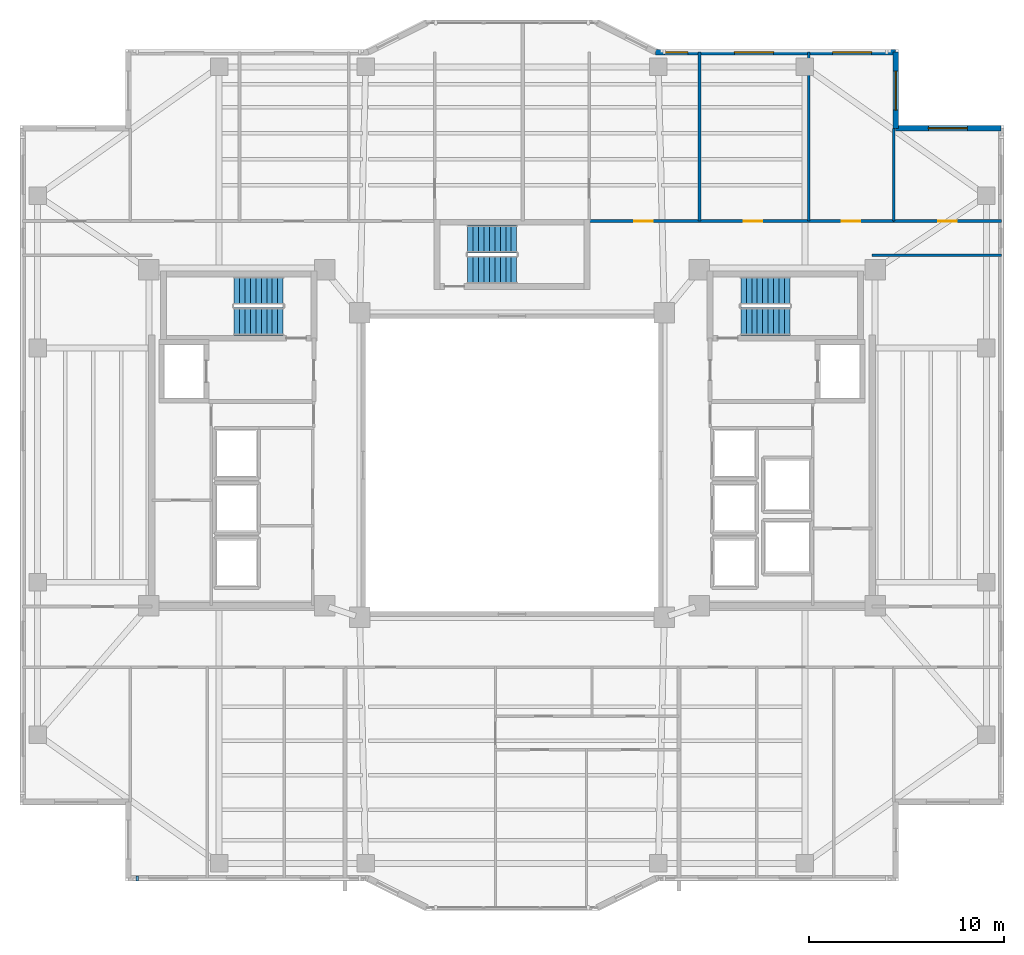
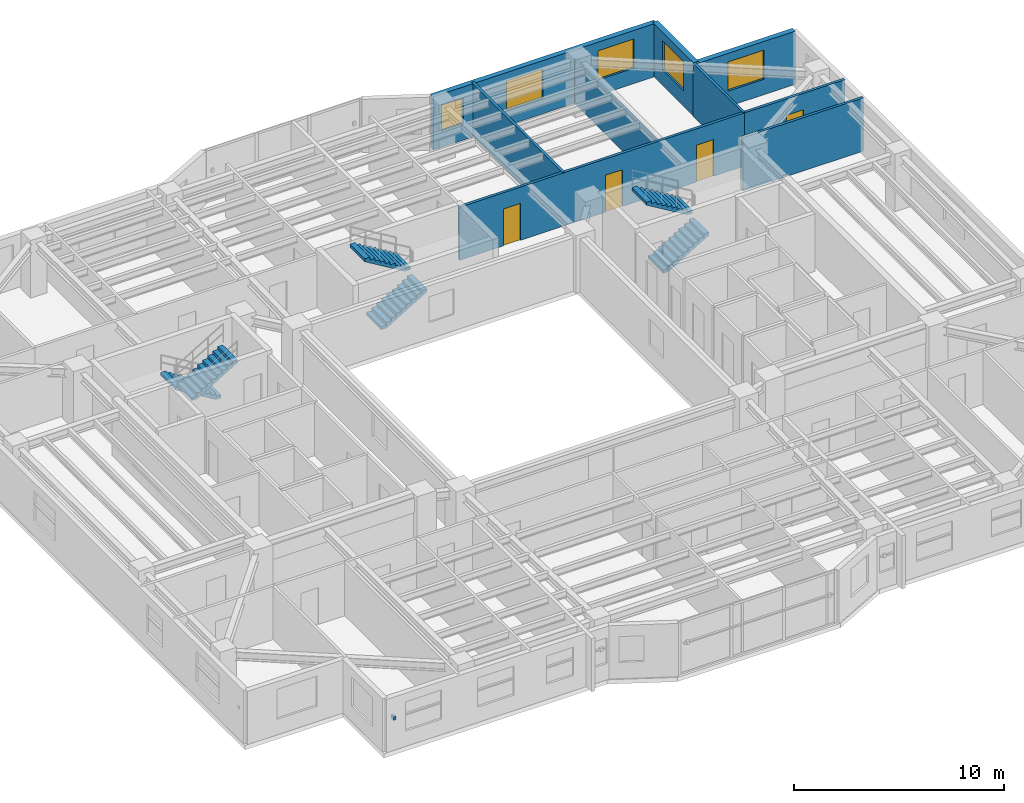
# One storey, part 10 of 15: 9 walls, 6 stair flights, 5 windows, 4 doors, 1 discrete accessory, 9 openings, 3 elements without a shape of their own.
"""IFC4 building model written with IfcOpenShell, lengths in metres."""

from ifc_helpers import new_model, si_unit, direction, frame, frame_2d, origin, origin_2d, place, context, subcontext, project, spatial, polyline, rectangle, outline, extrude, material, layer, layer_set, type_object, element, fill, aggregate, save


model = new_model("IFC4")

# Units and contexts
model_context = context("Model", 3, precision=1e-05, world=origin(), true_north=direction((0.0, 1.0)))
body_context = subcontext(model_context, "Body", "Model", "MODEL_VIEW")
ifc_project = project(units=[si_unit("LENGTHUNIT", "METRE"), si_unit("AREAUNIT", "SQUARE_METRE"), si_unit("VOLUMEUNIT", "CUBIC_METRE"), si_unit("PLANEANGLEUNIT", "RADIAN"), si_unit("MASSUNIT", "GRAM", prefix="KILO")], contexts=[model_context])

# Site, building, storey
site_placement = place(None, origin())
site = spatial("IfcSite", under=ifc_project, at=site_placement, CompositionType="ELEMENT")
building_placement = place(site_placement, origin())
building = spatial("IfcBuilding", under=site, at=building_placement, Name="Tarnavaz Court Tower", CompositionType="ELEMENT")
storey_placement = place(building_placement, frame((0.0, 0.0, 142.64990234375)))
storey = spatial("IfcBuildingStorey", under=building, at=storey_placement, Name="L38", CompositionType="ELEMENT", Elevation=142.64990234375)

# Wall, openings, windows
ifc_material_1 = material(Name="Precast Concrete C40/50", Category="concrete")
ifc_layer_1 = layer(ifc_material_1, 0.280029296875)
ifc_layer_set_1 = layer_set([ifc_layer_1], Name="Precast Concrete C40/50")
wall_type_1 = type_object("IfcWallType", Name="WL-EXT-280", PredefinedType="SOLIDWALL", material=ifc_layer_set_1)
wall_1_placement = place(storey_placement, frame((7.35009765625, 21.14990234375, 0.0), z_axis=(0.0, 0.0, 1.0), x_axis=(1.0, 0.0, 0.0)))
wall_1 = element("IfcWall", 1, at=wall_1_placement, inside=storey, type_object=wall_type_1, Name="L38 Exterior Terracotta Facade Wall 09", PredefinedType="SOLIDWALL", context=body_context, shape_type="SweptSolid", body=[
    extrude(rectangle(XDim=12.2998046875, YDim=0.280029296875, at=frame_2d((6.14990234375, 0.0))), origin(), (0.0, 0.0, 1.0), 3.10009765625),
])
opening_1_placement = place(wall_1_placement, frame((0.454345703125, 0.0, 0.949951171875)))
opening_1 = element("IfcOpeningElement", 2, at=opening_1_placement, cuts=wall_1, Name="Opening W05", PredefinedType="OPENING", context=body_context, shape_type="SweptSolid", body=[
    extrude(rectangle(XDim=1.199951171875, YDim=1.5, at=frame_2d((0.60009765625, 0.75))), frame((0.0, 0.14990234375, 0.0), z_axis=(0.0, -1.0, 0.0), x_axis=(1.0, 0.0, 0.0)), (0.0, 0.0, 1.0), 0.300048828125),
])
opening_2_placement = place(wall_1_placement, frame((4.04541015625, 0.0, 0.89990234375)))
opening_2 = element("IfcOpeningElement", 3, at=opening_2_placement, cuts=wall_1, Name="Opening W08", PredefinedType="OPENING", context=body_context, shape_type="SweptSolid", body=[
    extrude(rectangle(XDim=2.0, YDim=1.699951171875, at=frame_2d((1.0, 0.85009765625))), frame((0.0, 0.14990234375, 0.0), z_axis=(0.0, -1.0, 0.0), x_axis=(1.0, 0.0, 0.0)), (0.0, 0.0, 1.0), 0.300048828125),
])
opening_3_placement = place(wall_1_placement, frame((9.06591796875, 0.0, 0.89990234375)))
opening_3 = element("IfcOpeningElement", 4, at=opening_3_placement, cuts=wall_1, Name="Opening W08", PredefinedType="OPENING", context=body_context, shape_type="SweptSolid", body=[
    extrude(rectangle(XDim=2.0, YDim=1.699951171875, at=frame_2d((1.0, 0.85009765625))), frame((0.0, 0.14990234375, 0.0), z_axis=(0.0, -1.0, 0.0), x_axis=(1.0, 0.0, 0.0)), (0.0, 0.0, 1.0), 0.300048828125),
])
ifc_material_2 = material(Name="Double-Glazed Solar Low-E Glass", Category="glass")
window_type_1 = type_object("IfcWindowType", Name="WN-APT-1200", PartitioningType="SINGLE_PANEL", PredefinedType="WINDOW", material=ifc_material_2)
window_1_placement = place(opening_1_placement, origin())
window_1 = element("IfcWindow", 5, at=window_1_placement, inside=storey, type_object=window_type_1, Name="L38 Resident Co-Working Study Room Window", OverallHeight=1.5, OverallWidth=1.199951171875, PartitioningType="SINGLE_PANEL", PredefinedType="WINDOW", context=body_context, shape_type="SweptSolid", body=[
    extrude(rectangle(XDim=1.199951171875, YDim=1.5, at=frame_2d((0.60009765625, 0.75))), frame((0.0, 0.030029296875, 0.0), z_axis=(0.0, -1.0, 0.0), x_axis=(1.0, 0.0, 0.0)), (0.0, 0.0, 1.0), 0.06005859375),
])
fill(opening_1, window_1)
window_type_2 = type_object("IfcWindowType", Name="WN-APT-2000", PartitioningType="DOUBLE_PANEL_VERTICAL", PredefinedType="WINDOW", material=ifc_material_2)
window_2_placement = place(opening_2_placement, origin())
window_2 = element("IfcWindow", 6, at=window_2_placement, inside=storey, type_object=window_type_2, Name="L38 Quiet Reading Library Room Window", OverallHeight=1.699951171875, OverallWidth=2.0, PartitioningType="SINGLE_PANEL", PredefinedType="WINDOW", context=body_context, shape_type="SweptSolid", body=[
    extrude(rectangle(XDim=2.0, YDim=1.699951171875, at=frame_2d((1.0, 0.85009765625))), frame((0.0, 0.030029296875, 0.0), z_axis=(0.0, -1.0, 0.0), x_axis=(1.0, 0.0, 0.0)), (0.0, 0.0, 1.0), 0.06005859375),
])
fill(opening_2, window_2)
window_3_placement = place(opening_3_placement, origin())
window_3 = element("IfcWindow", 7, at=window_3_placement, inside=storey, type_object=window_type_2, Name="L38 Resident Focus Seminar Room Window", OverallHeight=1.699951171875, OverallWidth=2.0, PartitioningType="SINGLE_PANEL", PredefinedType="WINDOW", context=body_context, shape_type="SweptSolid", body=[
    extrude(rectangle(XDim=2.0, YDim=1.699951171875, at=frame_2d((1.0, 0.85009765625))), frame((0.0, 0.030029296875, 0.0), z_axis=(0.0, -1.0, 0.0), x_axis=(1.0, 0.0, 0.0)), (0.0, 0.0, 1.0), 0.06005859375),
])
fill(opening_3, window_3)

# Wall, opening, window
wall_2_placement = place(storey_placement, frame((19.64990234375, 21.14990234375, 0.0), z_axis=(0.0, 0.0, 1.0), x_axis=(0.0, -1.0, 0.0)))
wall_2 = element("IfcWall", 8, at=wall_2_placement, inside=storey, type_object=wall_type_1, Name="L38 Exterior Terracotta Facade Wall 10", PredefinedType="SOLIDWALL", context=body_context, shape_type="SweptSolid", body=[
    extrude(rectangle(XDim=3.89990234375, YDim=0.280029296875, at=frame_2d((1.949951171875, 0.0))), origin(), (0.0, 0.0, 1.0), 3.10009765625),
])
opening_4_placement = place(wall_2_placement, frame((0.9677734375, 0.0, 0.89990234375)))
opening_4 = element("IfcOpeningElement", 9, at=opening_4_placement, cuts=wall_2, Name="Opening W08", PredefinedType="OPENING", context=body_context, shape_type="SweptSolid", body=[
    extrude(rectangle(XDim=2.0, YDim=1.699951171875, at=frame_2d((1.0, 0.85009765625))), frame((0.0, 0.14990234375, 0.0), z_axis=(0.0, -1.0, 0.0), x_axis=(1.0, 0.0, 0.0)), (0.0, 0.0, 1.0), 0.300048828125),
])
window_4_placement = place(opening_4_placement, origin())
window_4 = element("IfcWindow", 10, at=window_4_placement, inside=storey, type_object=window_type_2, Name="L38 Resident Focus Seminar Room Window", OverallHeight=1.699951171875, OverallWidth=2.0, PartitioningType="SINGLE_PANEL", PredefinedType="WINDOW", context=body_context, shape_type="SweptSolid", body=[
    extrude(rectangle(XDim=2.0, YDim=1.699951171875, at=frame_2d((1.0, 0.85009765625))), frame((0.0, 0.030029296875, 0.0), z_axis=(0.0, -1.0, 0.0), x_axis=(1.0, 0.0, 0.0)), (0.0, 0.0, 1.0), 0.06005859375),
])
fill(opening_4, window_4)

wall_3_placement = place(storey_placement, frame((19.64990234375, 17.25, 0.0), z_axis=(0.0, 0.0, 1.0), x_axis=(1.0, 0.0, 0.0)))
wall_3 = element("IfcWall", 11, at=wall_3_placement, inside=storey, type_object=wall_type_1, Name="L38 Exterior Terracotta Facade Wall 11", PredefinedType="SOLIDWALL", context=body_context, shape_type="SweptSolid", body=[
    extrude(rectangle(XDim=5.400146484375, YDim=0.280029296875, at=frame_2d((2.7001953125, 0.0))), origin(), (0.0, 0.0, 1.0), 3.10009765625),
])
opening_5_placement = place(wall_3_placement, frame((1.675048828125, 0.0, 0.89990234375)))
opening_5 = element("IfcOpeningElement", 12, at=opening_5_placement, cuts=wall_3, Name="Opening W08", PredefinedType="OPENING", context=body_context, shape_type="SweptSolid", body=[
    extrude(rectangle(XDim=2.0, YDim=1.699951171875, at=frame_2d((1.0, 0.85009765625))), frame((0.0, 0.14990234375, 0.0), z_axis=(0.0, -1.0, 0.0), x_axis=(1.0, 0.0, 0.0)), (0.0, 0.0, 1.0), 0.300048828125),
])
window_5_placement = place(opening_5_placement, origin())
window_5 = element("IfcWindow", 13, at=window_5_placement, inside=storey, type_object=window_type_2, Name="L38 North-East Corner Sunroom Study Window", OverallHeight=1.699951171875, OverallWidth=2.0, PartitioningType="SINGLE_PANEL", PredefinedType="WINDOW", context=body_context, shape_type="SweptSolid", body=[
    extrude(rectangle(XDim=2.0, YDim=1.699951171875, at=frame_2d((1.0, 0.85009765625))), frame((0.0, 0.030029296875, 0.0), z_axis=(0.0, -1.0, 0.0), x_axis=(1.0, 0.0, 0.0)), (0.0, 0.0, 1.0), 0.06005859375),
])
fill(opening_5, window_5)

# Wall, openings, doors
ifc_material_3 = material(Name="Gypsum Fire-Board on Acoustic Metal Stud", Category="masonry")
ifc_layer_2 = layer(ifc_material_3, 0.14990234375)
ifc_layer_set_2 = layer_set([ifc_layer_2], Name="Gypsum Fire-Board on Acoustic Metal Stud")
wall_type_2 = type_object("IfcWallType", Name="WL-FIRE-150", PredefinedType="PARTITIONING", material=ifc_layer_set_2)
wall_4_placement = place(storey_placement, frame((3.85009765625, 12.5, 0.0), z_axis=(0.0, 0.0, 1.0), x_axis=(1.0, 0.0, 0.0)))
wall_4 = element("IfcWall", 14, at=wall_4_placement, inside=storey, type_object=wall_type_2, Name="L38 NE Wing Corridor Wall 072", PredefinedType="PARTITIONING", context=body_context, shape_type="SweptSolid", body=[
    extrude(rectangle(XDim=15.699951171875, YDim=0.14990234375, at=frame_2d((7.85009765625, 0.0))), origin(), (0.0, 0.0, 1.0), 3.10009765625),
])
opening_6_placement = place(wall_4_placement, frame((2.402099609375, 0.0, 0.0)))
opening_6 = element("IfcOpeningElement", 15, at=opening_6_placement, cuts=wall_4, Name="Opening D13", PredefinedType="OPENING", context=body_context, shape_type="SweptSolid", body=[
    extrude(rectangle(XDim=0.949951171875, YDim=2.14990234375, at=frame_2d((0.47509765625, 1.074951171875))), frame((0.0, 0.0849609375, 0.0), z_axis=(0.0, -1.0, 0.0), x_axis=(1.0, 0.0, 0.0)), (0.0, 0.0, 1.0), 0.169921875),
])
opening_7_placement = place(wall_4_placement, frame((8.02587890625, 0.0, 0.0)))
opening_7 = element("IfcOpeningElement", 16, at=opening_7_placement, cuts=wall_4, Name="Opening D13", PredefinedType="OPENING", context=body_context, shape_type="SweptSolid", body=[
    extrude(rectangle(XDim=0.949951171875, YDim=2.14990234375, at=frame_2d((0.47509765625, 1.074951171875))), frame((0.0, 0.0849609375, 0.0), z_axis=(0.0, -1.0, 0.0), x_axis=(1.0, 0.0, 0.0)), (0.0, 0.0, 1.0), 0.169921875),
])
opening_8_placement = place(wall_4_placement, frame((13.030029296875, 0.0, 0.0)))
opening_8 = element("IfcOpeningElement", 17, at=opening_8_placement, cuts=wall_4, Name="Opening D13", PredefinedType="OPENING", context=body_context, shape_type="SweptSolid", body=[
    extrude(rectangle(XDim=0.949951171875, YDim=2.14990234375, at=frame_2d((0.47509765625, 1.074951171875))), frame((0.0, 0.0849609375, 0.0), z_axis=(0.0, -1.0, 0.0), x_axis=(1.0, 0.0, 0.0)), (0.0, 0.0, 1.0), 0.169921875),
])
ifc_material_4 = material(Name="Engineered Oak Timber", Category="wood")
door_type = type_object("IfcDoorType", Name="DR-INT-950", OperationType="NOTDEFINED", PredefinedType="DOOR", material=ifc_material_4)
door_1_placement = place(opening_6_placement, origin())
door_1 = element("IfcDoor", 18, at=door_1_placement, inside=storey, type_object=door_type, Name="L38 Resident Co-Working Study Room Door", OperationType="SINGLE_SWING_LEFT", OverallHeight=2.14990234375, OverallWidth=0.949951171875, PredefinedType="DOOR", context=body_context, shape_type="SweptSolid", body=[
    extrude(rectangle(XDim=0.949951171875, YDim=2.14990234375, at=frame_2d((0.47509765625, 1.074951171875))), frame((0.0, 0.02490234375, 0.0), z_axis=(0.0, -1.0, 0.0), x_axis=(1.0, 0.0, 0.0)), (0.0, 0.0, 1.0), 0.050048828125),
])
fill(opening_6, door_1)
door_2_placement = place(opening_7_placement, origin())
door_2 = element("IfcDoor", 19, at=door_2_placement, inside=storey, type_object=door_type, Name="L38 Quiet Reading Library Room Door", OperationType="SINGLE_SWING_RIGHT", OverallHeight=2.14990234375, OverallWidth=0.949951171875, PredefinedType="DOOR", context=body_context, shape_type="SweptSolid", body=[
    extrude(rectangle(XDim=0.949951171875, YDim=2.14990234375, at=frame_2d((0.47509765625, 1.074951171875))), frame((0.0, 0.02490234375, 0.0), z_axis=(0.0, -1.0, 0.0), x_axis=(1.0, 0.0, 0.0)), (0.0, 0.0, 1.0), 0.050048828125),
])
fill(opening_7, door_2)
door_3_placement = place(opening_8_placement, origin())
door_3 = element("IfcDoor", 20, at=door_3_placement, inside=storey, type_object=door_type, Name="L38 Resident Focus Seminar Room Door", OperationType="SINGLE_SWING_LEFT", OverallHeight=2.14990234375, OverallWidth=0.949951171875, PredefinedType="DOOR", context=body_context, shape_type="SweptSolid", body=[
    extrude(rectangle(XDim=0.949951171875, YDim=2.14990234375, at=frame_2d((0.47509765625, 1.074951171875))), frame((0.0, 0.02490234375, 0.0), z_axis=(0.0, -1.0, 0.0), x_axis=(1.0, 0.0, 0.0)), (0.0, 0.0, 1.0), 0.050048828125),
])
fill(opening_8, door_3)

# Wall
wall_5_placement = place(storey_placement, frame((18.449951171875, 10.75, 0.0), z_axis=(0.0, 0.0, 1.0), x_axis=(1.0, 0.0, 0.0)))
element("IfcWall", 21, at=wall_5_placement, inside=storey, type_object=wall_type_2, Name="L38 Interior Partition 098", PredefinedType="PARTITIONING", context=body_context, shape_type="SweptSolid", body=[
    extrude(rectangle(XDim=6.630126953125, YDim=0.14990234375, at=frame_2d((3.31494140625, 0.0))), origin(), (0.0, 0.0, 1.0), 3.10009765625),
])

# Wall, opening, door
wall_6_placement = place(storey_placement, frame((19.550048828125, 12.5, 0.0), z_axis=(0.0, 0.0, 1.0), x_axis=(1.0, 0.0, 0.0)))
wall_6 = element("IfcWall", 22, at=wall_6_placement, inside=storey, type_object=wall_type_2, Name="L38 Interior Partition 104", PredefinedType="PARTITIONING", context=body_context, shape_type="SweptSolid", body=[
    extrude(rectangle(XDim=5.530029296875, YDim=0.14990234375, at=frame_2d((2.76513671875, 0.0))), origin(), (0.0, 0.0, 1.0), 3.10009765625),
])
opening_9_placement = place(wall_6_placement, frame((2.2900390625, 0.0, 0.0)))
opening_9 = element("IfcOpeningElement", 23, at=opening_9_placement, cuts=wall_6, Name="Opening D13", PredefinedType="OPENING", context=body_context, shape_type="SweptSolid", body=[
    extrude(rectangle(XDim=0.949951171875, YDim=2.14990234375, at=frame_2d((0.47509765625, 1.074951171875))), frame((0.0, 0.0849609375, 0.0), z_axis=(0.0, -1.0, 0.0), x_axis=(1.0, 0.0, 0.0)), (0.0, 0.0, 1.0), 0.169921875),
])
door_4_placement = place(opening_9_placement, origin())
door_4 = element("IfcDoor", 24, at=door_4_placement, inside=storey, type_object=door_type, Name="L38 NE Sunroom Door", OperationType="SINGLE_SWING_RIGHT", OverallHeight=2.14990234375, OverallWidth=0.949951171875, PredefinedType="DOOR", context=body_context, shape_type="SweptSolid", body=[
    extrude(rectangle(XDim=0.949951171875, YDim=2.14990234375, at=frame_2d((0.47509765625, 1.074951171875))), frame((0.0, 0.02490234375, 0.0), z_axis=(0.0, -1.0, 0.0), x_axis=(1.0, 0.0, 0.0)), (0.0, 0.0, 1.0), 0.050048828125),
])
fill(opening_9, door_4)

# Walls
ifc_material_5 = material(Name="Gypsum Plasterboard Acoustic Partition", Category="masonry")
ifc_layer_3 = layer(ifc_material_5, 0.139892578125)
ifc_layer_set_3 = layer_set([ifc_layer_3], Name="Gypsum Plasterboard Acoustic Partition")
wall_type_3 = type_object("IfcWallType", Name="WL-PART-150", PredefinedType="PARTITIONING", material=ifc_layer_set_3)
wall_7_placement = place(storey_placement, frame((9.60400390625, 12.5, 0.0), z_axis=(0.0, 0.0, 1.0), x_axis=(0.0, 1.0, 0.0)))
element("IfcWall", 25, at=wall_7_placement, inside=storey, type_object=wall_type_3, Name="L38 Interior Partition 080", PredefinedType="PARTITIONING", context=body_context, shape_type="SweptSolid", body=[
    extrude(rectangle(XDim=8.64990234375, YDim=0.139892578125, at=frame_2d((4.324951171875, 0.0))), origin(), (0.0, 0.0, 1.0), 3.10009765625),
])
wall_8_placement = place(storey_placement, frame((15.198974609375, 12.5, 0.0), z_axis=(0.0, 0.0, 1.0), x_axis=(0.0, 1.0, 0.0)))
element("IfcWall", 26, at=wall_8_placement, inside=storey, type_object=wall_type_3, Name="L38 Interior Partition 081", PredefinedType="PARTITIONING", context=body_context, shape_type="SweptSolid", body=[
    extrude(rectangle(XDim=8.64990234375, YDim=0.139892578125, at=frame_2d((4.324951171875, 0.0))), origin(), (0.0, 0.0, 1.0), 2.585205078125),
])
wall_9_placement = place(storey_placement, frame((19.550048828125, 12.5, 0.0), z_axis=(0.0, 0.0, 1.0), x_axis=(0.0, 1.0, 0.0)))
element("IfcWall", 27, at=wall_9_placement, inside=storey, type_object=wall_type_3, Name="L38 Interior Partition 102", PredefinedType="PARTITIONING", context=body_context, shape_type="SweptSolid", body=[
    extrude(rectangle(XDim=4.75, YDim=0.139892578125, at=frame_2d((2.375, 0.0))), origin(), (0.0, 0.0, 1.0), 3.10009765625),
])

# Stair, stair flights
ifc_material_6 = material(Name="Concrete C40/50", Category="concrete")
stair_type = type_object("IfcStairType", Name="ST-TWR-20R", PredefinedType="HALF_TURN_STAIR", material=ifc_material_6)
stair_1_placement = place(storey_placement, origin())
stair_1 = element("IfcStair", 28, at=stair_1_placement, inside=storey, type_object=stair_type, Name="L38 West Core Pressurized Exit Stair ST-W1", PredefinedType="HALF_TURN_STAIR")
stair_flight_type = type_object("IfcStairFlightType", Name="SFL-RC-20R", PredefinedType="STRAIGHT", material=ifc_material_6)
stair_flight_1_placement = place(storey_placement, frame((-11.719970703125, 8.929931640625, 0.0), z_axis=(0.0, 0.0, 1.0), x_axis=(-1.0, 0.0, 0.0)))
stair_flight_1 = element("IfcStairFlight", 29, at=stair_flight_1_placement, type_object=stair_flight_type, Name="ST-W1 flight 1", NumberOfRisers=10, NumberOfTreads=9, PredefinedType="STRAIGHT", RiserHeight=0.1675, TreadLength=0.28, context=body_context, shape_type="SweptSolid", body=[
    extrude(outline(polyline([(0.0, 0.0), (0.0, 0.16748046875), (0.280029296875, 0.16748046875), (0.280029296875, 0.3349609375), (0.56005859375, 0.3349609375), (0.56005859375, 0.50244140625), (0.840087890625, 0.50244140625), (0.840087890625, 0.669921875), (1.1201171875, 0.669921875), (1.1201171875, 0.83740234375), (1.39990234375, 0.83740234375), (1.39990234375, 1.0048828125), (1.679931640625, 1.0048828125), (1.679931640625, 1.172607421875), (1.9599609375, 1.172607421875), (1.9599609375, 1.340087890625), (2.239990234375, 1.340087890625), (2.239990234375, 1.507568359375), (2.52001953125, 1.507568359375), (2.52001953125, 1.675048828125), (2.52001953125, 1.332763671875), (0.2919921875, 0.0), (0.0, 0.0)])), frame((0.0, 0.7099609375, 0.0), z_axis=(0.0, -1.0, 0.0), x_axis=(1.0, 0.0, 0.0)), (0.0, 0.0, 1.0), 1.419921875),
])
stair_flight_2_placement = place(storey_placement, frame((-14.239990234375, 7.360107421875, 1.675048828125), z_axis=(0.0, 0.0, 1.0), x_axis=(1.0, 0.0, 0.0)))
stair_flight_2 = element("IfcStairFlight", 30, at=stair_flight_2_placement, type_object=stair_flight_type, Name="ST-W1 flight 2", NumberOfRisers=10, NumberOfTreads=9, PredefinedType="STRAIGHT", RiserHeight=0.1675, TreadLength=0.28, context=body_context, shape_type="SweptSolid", body=[
    extrude(outline(polyline([(0.0, 0.0), (0.0, 0.16748046875), (0.280029296875, 0.16748046875), (0.280029296875, 0.3349609375), (0.56005859375, 0.3349609375), (0.56005859375, 0.50244140625), (0.840087890625, 0.50244140625), (0.840087890625, 0.669921875), (1.1201171875, 0.669921875), (1.1201171875, 0.83740234375), (1.39990234375, 0.83740234375), (1.39990234375, 1.0048828125), (1.679931640625, 1.0048828125), (1.679931640625, 1.172607421875), (1.9599609375, 1.172607421875), (1.9599609375, 1.340087890625), (2.239990234375, 1.340087890625), (2.239990234375, 1.507568359375), (2.52001953125, 1.507568359375), (2.52001953125, 1.675048828125), (2.52001953125, 1.332763671875), (0.2919921875, 0.0), (0.0, 0.0)])), frame((0.0, 0.7099609375, 0.0), z_axis=(0.0, -1.0, 0.0), x_axis=(1.0, 0.0, 0.0)), (0.0, 0.0, 1.0), 1.419921875),
])
aggregate(stair_1, [stair_flight_1, stair_flight_2])

stair_2_placement = place(storey_placement, origin())
stair_2 = element("IfcStair", 31, at=stair_2_placement, inside=storey, type_object=stair_type, Name="L38 East Core Pressurized Exit Stair ST-E1", PredefinedType="HALF_TURN_STAIR")
stair_flight_3_placement = place(storey_placement, frame((11.719970703125, 7.360107421875, 0.0), z_axis=(0.0, 0.0, 1.0), x_axis=(1.0, 0.0, 0.0)))
stair_flight_3 = element("IfcStairFlight", 32, at=stair_flight_3_placement, type_object=stair_flight_type, Name="ST-E1 flight 1", NumberOfRisers=10, NumberOfTreads=9, PredefinedType="STRAIGHT", RiserHeight=0.1675, TreadLength=0.28, context=body_context, shape_type="SweptSolid", body=[
    extrude(outline(polyline([(0.0, 0.0), (0.0, 0.16748046875), (0.280029296875, 0.16748046875), (0.280029296875, 0.3349609375), (0.56005859375, 0.3349609375), (0.56005859375, 0.50244140625), (0.840087890625, 0.50244140625), (0.840087890625, 0.669921875), (1.1201171875, 0.669921875), (1.1201171875, 0.83740234375), (1.39990234375, 0.83740234375), (1.39990234375, 1.0048828125), (1.679931640625, 1.0048828125), (1.679931640625, 1.172607421875), (1.9599609375, 1.172607421875), (1.9599609375, 1.340087890625), (2.239990234375, 1.340087890625), (2.239990234375, 1.507568359375), (2.52001953125, 1.507568359375), (2.52001953125, 1.675048828125), (2.52001953125, 1.332763671875), (0.2919921875, 0.0), (0.0, 0.0)])), frame((0.0, 0.7099609375, 0.0), z_axis=(0.0, -1.0, 0.0), x_axis=(1.0, 0.0, 0.0)), (0.0, 0.0, 1.0), 1.419921875),
])
stair_flight_4_placement = place(storey_placement, frame((14.239990234375, 8.929931640625, 1.675048828125), z_axis=(0.0, 0.0, 1.0), x_axis=(-1.0, 0.0, 0.0)))
stair_flight_4 = element("IfcStairFlight", 33, at=stair_flight_4_placement, type_object=stair_flight_type, Name="ST-E1 flight 2", NumberOfRisers=10, NumberOfTreads=9, PredefinedType="STRAIGHT", RiserHeight=0.1675, TreadLength=0.28, context=body_context, shape_type="SweptSolid", body=[
    extrude(outline(polyline([(0.0, 0.0), (0.0, 0.16748046875), (0.280029296875, 0.16748046875), (0.280029296875, 0.3349609375), (0.56005859375, 0.3349609375), (0.56005859375, 0.50244140625), (0.840087890625, 0.50244140625), (0.840087890625, 0.669921875), (1.1201171875, 0.669921875), (1.1201171875, 0.83740234375), (1.39990234375, 0.83740234375), (1.39990234375, 1.0048828125), (1.679931640625, 1.0048828125), (1.679931640625, 1.172607421875), (1.9599609375, 1.172607421875), (1.9599609375, 1.340087890625), (2.239990234375, 1.340087890625), (2.239990234375, 1.507568359375), (2.52001953125, 1.507568359375), (2.52001953125, 1.675048828125), (2.52001953125, 1.332763671875), (0.2919921875, 0.0), (0.0, 0.0)])), frame((0.0, 0.7099609375, 0.0), z_axis=(0.0, -1.0, 0.0), x_axis=(1.0, 0.0, 0.0)), (0.0, 0.0, 1.0), 1.419921875),
])
aggregate(stair_2, [stair_flight_3, stair_flight_4])

stair_3_placement = place(storey_placement, origin())
stair_3 = element("IfcStair", 34, at=stair_3_placement, inside=storey, type_object=stair_type, Name="L38 North Ring Pressurized Exit Stair ST-N1", PredefinedType="HALF_TURN_STAIR")
stair_flight_5_placement = place(storey_placement, frame((-2.280029296875, 10.010009765625, 0.0), z_axis=(0.0, 0.0, 1.0), x_axis=(1.0, 0.0, 0.0)))
stair_flight_5 = element("IfcStairFlight", 35, at=stair_flight_5_placement, type_object=stair_flight_type, Name="ST-N1 flight 1", NumberOfRisers=10, NumberOfTreads=9, PredefinedType="STRAIGHT", RiserHeight=0.1675, TreadLength=0.28, context=body_context, shape_type="SweptSolid", body=[
    extrude(outline(polyline([(0.0, 0.0), (0.0, 0.16748046875), (0.280029296875, 0.16748046875), (0.280029296875, 0.3349609375), (0.56005859375, 0.3349609375), (0.56005859375, 0.50244140625), (0.840087890625, 0.50244140625), (0.840087890625, 0.669921875), (1.1201171875, 0.669921875), (1.1201171875, 0.83740234375), (1.39990234375, 0.83740234375), (1.39990234375, 1.0048828125), (1.679931640625, 1.0048828125), (1.679931640625, 1.172607421875), (1.9599609375, 1.172607421875), (1.9599609375, 1.340087890625), (2.239990234375, 1.340087890625), (2.239990234375, 1.507568359375), (2.52001953125, 1.507568359375), (2.52001953125, 1.675048828125), (2.52001953125, 1.332763671875), (0.2919921875, 0.0), (0.0, 0.0)])), frame((0.0, 0.7099609375, 0.0), z_axis=(0.0, -1.0, 0.0), x_axis=(1.0, 0.0, 0.0)), (0.0, 0.0, 1.0), 1.419921875),
])
stair_flight_6_placement = place(storey_placement, frame((0.239990234375, 11.580078125, 1.675048828125), z_axis=(0.0, 0.0, 1.0), x_axis=(-1.0, 0.0, 0.0)))
stair_flight_6 = element("IfcStairFlight", 36, at=stair_flight_6_placement, type_object=stair_flight_type, Name="ST-N1 flight 2", NumberOfRisers=10, NumberOfTreads=9, PredefinedType="STRAIGHT", RiserHeight=0.1675, TreadLength=0.28, context=body_context, shape_type="SweptSolid", body=[
    extrude(outline(polyline([(0.0, 0.0), (0.0, 0.16748046875), (0.280029296875, 0.16748046875), (0.280029296875, 0.3349609375), (0.56005859375, 0.3349609375), (0.56005859375, 0.50244140625), (0.840087890625, 0.50244140625), (0.840087890625, 0.669921875), (1.1201171875, 0.669921875), (1.1201171875, 0.83740234375), (1.39990234375, 0.83740234375), (1.39990234375, 1.0048828125), (1.679931640625, 1.0048828125), (1.679931640625, 1.172607421875), (1.9599609375, 1.172607421875), (1.9599609375, 1.340087890625), (2.239990234375, 1.340087890625), (2.239990234375, 1.507568359375), (2.52001953125, 1.507568359375), (2.52001953125, 1.675048828125), (2.52001953125, 1.332763671875), (0.2919921875, 0.0), (0.0, 0.0)])), frame((0.0, 0.7099609375, 0.0), z_axis=(0.0, -1.0, 0.0), x_axis=(1.0, 0.0, 0.0)), (0.0, 0.0, 1.0), 1.419921875),
])
aggregate(stair_3, [stair_flight_5, stair_flight_6])

# Discrete accessory
ifc_material_7 = material(Name="Anodised Aluminium 6063-T6", Category="aluminium")
discrete_accessory_type = type_object("IfcDiscreteAccessoryType", Name="DA-BRKT-ALU", PredefinedType="BRACKET", material=ifc_material_7)
discrete_accessory_placement = place(storey_placement, frame((-19.199951171875, -21.169921875, 1.75), z_axis=(0.0, 0.0, 1.0), x_axis=(-1.0, 0.0, 0.0)))
element("IfcDiscreteAccessory", 37, at=discrete_accessory_placement, inside=storey, type_object=discrete_accessory_type, Name="L38 Baguette Outrigger Bracket FBG19-2", PredefinedType="BRACKET", context=body_context, shape_type="SweptSolid", body=[
    extrude(rectangle(XDim=0.139892578125, YDim=0.239990234375, at=origin_2d()), origin(), (0.0, 0.0, 1.0), 0.199951171875),
])

save(model, "model.ifc")
